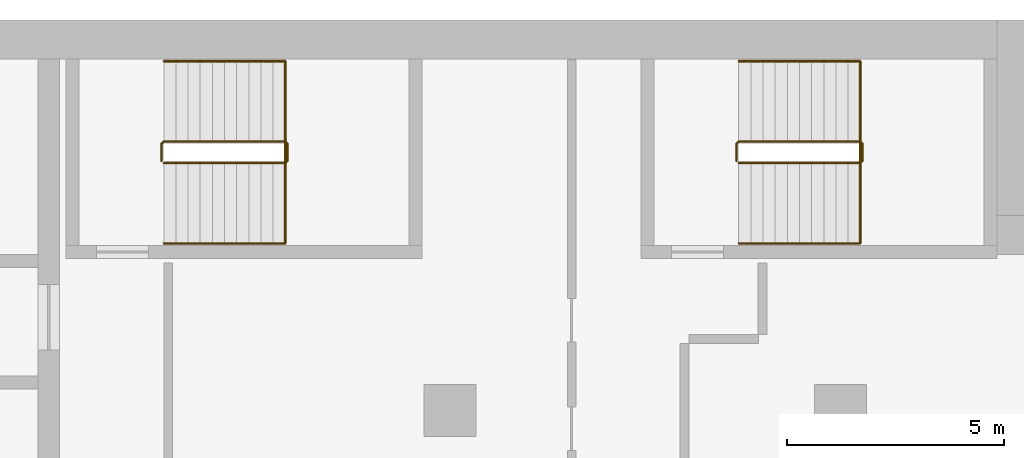
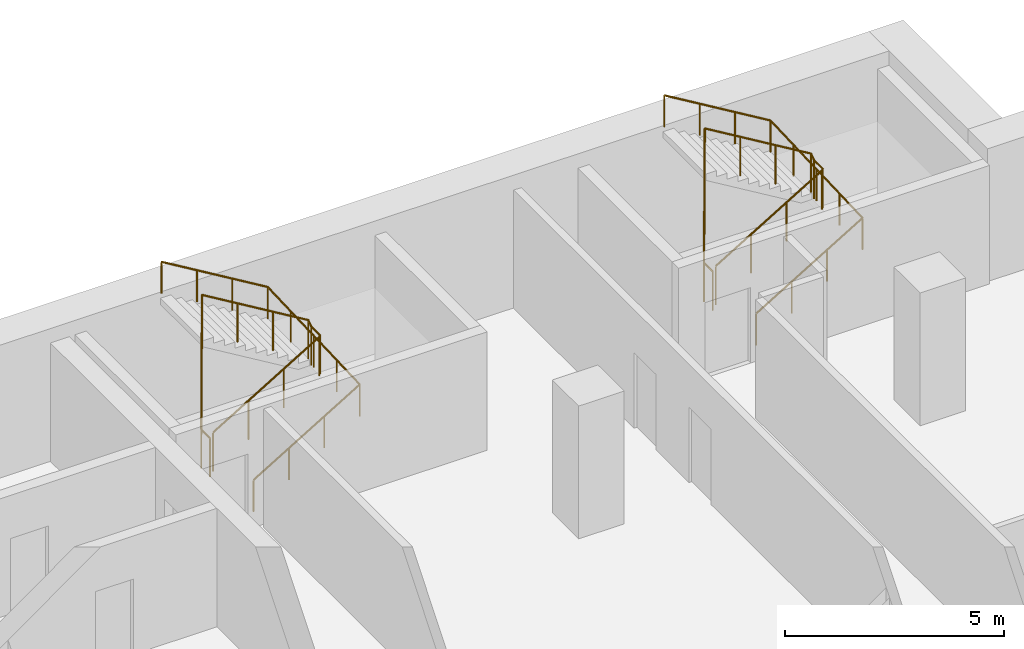
# One storey, part 23 of 23: 4 railings.
"""IFC4 building model written with IfcOpenShell, lengths in metres."""

from ifc_helpers import new_model, si_unit, direction, frame, origin, origin_2d, place, context, subcontext, project, spatial, circle, extrude, material, type_object, element, save


model = new_model("IFC4")

# Units and contexts
model_context = context("Model", 3, precision=1e-05, world=origin(), true_north=direction((0.0, 1.0)))
body_context = subcontext(model_context, "Body", "Model", "MODEL_VIEW")
ifc_project = project(units=[si_unit("LENGTHUNIT", "METRE"), si_unit("AREAUNIT", "SQUARE_METRE"), si_unit("VOLUMEUNIT", "CUBIC_METRE"), si_unit("PLANEANGLEUNIT", "RADIAN"), si_unit("MASSUNIT", "GRAM", prefix="KILO")], contexts=[model_context])

# Site, building, storey
site_placement = place(None, origin())
site = spatial("IfcSite", under=ifc_project, at=site_placement, CompositionType="ELEMENT")
building_placement = place(site_placement, origin())
building = spatial("IfcBuilding", under=site, at=building_placement, Name="Hunhe Ridgeline Campus", CompositionType="ELEMENT")
storey_placement = place(building_placement, frame((0.0, 0.0, 167.10009765625)))
storey = spatial("IfcBuildingStorey", under=building, at=storey_placement, Name="L42", CompositionType="ELEMENT", Elevation=167.10009765625)

# Railings
ifc_material_1 = material(Name="Stainless steel balustrade", Category="steel")
railing_type_1 = type_object("IfcRailingType", Name="Stair guard 1100 stainless", PredefinedType="GUARDRAIL", material=ifc_material_1)
railing_1_placement = place(storey_placement, frame((38.39990234375, 95.699951171875, 0.16796875)))
element("IfcRailing", 1, at=railing_1_placement, inside=storey, type_object=railing_type_1, Name="L42 stair E1 guard", PredefinedType="GUARDRAIL", context=body_context, shape_type="SweptSolid", body=[
    extrude(circle(Radius=0.02392578125, at=origin_2d()), frame((0.0, 0.0, 1.076171875), z_axis=(0.857242210791, 0.0, 0.514913383045), x_axis=(0.0, 1.0, 0.0)), (0.0, 0.0, 1.0), 3.266357421875),
    extrude(circle(Radius=0.02392578125, at=origin_2d()), frame((2.800048828125, 0.0, 2.7578125), z_axis=(0.707106781187, 0.707106781187, 0.0), x_axis=(-0.707106781187, 0.707106781187, 0.0)), (0.0, 0.0, 1.0), 0.07080078125),
    extrude(circle(Radius=0.02392578125, at=origin_2d()), frame((2.85009765625, 0.050048828125, 2.7578125), z_axis=(0.0, 1.0, 0.0), x_axis=(-1.0, 0.0, 0.0)), (0.0, 0.0, 1.0), 0.39990234375),
    extrude(circle(Radius=0.02392578125, at=origin_2d()), frame((2.85009765625, 0.449951171875, 2.7578125), z_axis=(-0.274243871929, 0.274243871929, 0.92172696468), x_axis=(-0.707106781187, -0.707106781187, 0.0)), (0.0, 0.0, 1.0), 0.1826171875),
    extrude(circle(Radius=0.02392578125, at=origin_2d()), frame((2.800048828125, 0.5, 2.92626953125), z_axis=(-0.857242210791, 0.0, 0.514913383045), x_axis=(0.0, -1.0, 0.0)), (0.0, 0.0, 1.0), 3.266357421875),
    extrude(circle(Radius=0.02392578125, at=origin_2d()), frame((0.0, 0.5, 4.60791015625), z_axis=(-0.013458453615, -0.013524426427, -0.999817963389), x_axis=(0.708833529934, -0.705375805398, 0.0)), (0.0, 0.0, 1.0), 3.70068359375),
    extrude(circle(Radius=0.02392578125, at=origin_2d()), frame((-0.0498046875, 0.449951171875, 0.908203125), z_axis=(0.0, -1.0, 0.0), x_axis=(1.0, 0.0, 0.0)), (0.0, 0.0, 1.0), 0.39990234375),
    extrude(circle(Radius=0.02099609375, at=origin_2d()), origin(), (0.0, 0.0, 1.0), 1.052001953125),
    extrude(circle(Radius=0.02099609375, at=origin_2d()), frame((0.933349609375, 0.0, 0.560546875)), (0.0, 0.0, 1.0), 1.052001953125),
    extrude(circle(Radius=0.02099609375, at=origin_2d()), frame((1.86669921875, 0.0, 1.121337890625)), (0.0, 0.0, 1.0), 1.052001953125),
    extrude(circle(Radius=0.02099609375, at=origin_2d()), frame((2.800048828125, 0.0, 1.681884765625)), (0.0, 0.0, 1.0), 1.052001953125),
    extrude(circle(Radius=0.02099609375, at=origin_2d()), frame((2.85009765625, 0.050048828125, 1.681884765625)), (0.0, 0.0, 1.0), 1.052001953125),
    extrude(circle(Radius=0.02099609375, at=origin_2d()), frame((2.85009765625, 0.449951171875, 1.681884765625)), (0.0, 0.0, 1.0), 1.052001953125),
    extrude(circle(Radius=0.02099609375, at=origin_2d()), frame((2.800048828125, 0.5, 1.85009765625)), (0.0, 0.0, 1.0), 1.052001953125),
    extrude(circle(Radius=0.02099609375, at=origin_2d()), frame((1.86669921875, 0.5, 2.41064453125)), (0.0, 0.0, 1.0), 1.052001953125),
    extrude(circle(Radius=0.02099609375, at=origin_2d()), frame((0.933349609375, 0.5, 2.971435546875)), (0.0, 0.0, 1.0), 1.052001953125),
    extrude(circle(Radius=0.02099609375, at=origin_2d()), frame((0.0, 0.5, 3.531982421875)), (0.0, 0.0, 1.0), 1.052001953125),
    extrude(circle(Radius=0.02099609375, at=origin_2d()), frame((-0.012451171875, 0.487548828125, 2.60693359375)), (0.0, 0.0, 1.0), 1.052001953125),
    extrude(circle(Radius=0.02099609375, at=origin_2d()), frame((-0.02490234375, 0.47509765625, 1.68212890625)), (0.0, 0.0, 1.0), 1.052001953125),
    extrude(circle(Radius=0.02099609375, at=origin_2d()), frame((-0.037353515625, 0.46240234375, 0.757080078125)), (0.0, 0.0, 1.0), 1.052001953125),
    extrude(circle(Radius=0.02099609375, at=origin_2d()), frame((-0.0498046875, 0.449951171875, -0.16796875)), (0.0, 0.0, 1.0), 1.052001953125),
    extrude(circle(Radius=0.02099609375, at=origin_2d()), frame((-0.0498046875, 0.050048828125, -0.16796875)), (0.0, 0.0, 1.0), 1.052001953125),
])
railing_2_placement = place(storey_placement, frame((51.64990234375, 95.699951171875, 0.16796875)))
element("IfcRailing", 2, at=railing_2_placement, inside=storey, type_object=railing_type_1, Name="L42 stair E2 guard", PredefinedType="GUARDRAIL", context=body_context, shape_type="SweptSolid", body=[
    extrude(circle(Radius=0.02392578125, at=origin_2d()), frame((0.0, 0.0, 1.076171875), z_axis=(0.857242210791, 0.0, 0.514913383045), x_axis=(0.0, 1.0, 0.0)), (0.0, 0.0, 1.0), 3.266357421875),
    extrude(circle(Radius=0.02392578125, at=origin_2d()), frame((2.800048828125, 0.0, 2.7578125), z_axis=(0.707106781187, 0.707106781187, 0.0), x_axis=(-0.707106781187, 0.707106781187, 0.0)), (0.0, 0.0, 1.0), 0.07080078125),
    extrude(circle(Radius=0.02392578125, at=origin_2d()), frame((2.85009765625, 0.050048828125, 2.7578125), z_axis=(0.0, 1.0, 0.0), x_axis=(-1.0, 0.0, 0.0)), (0.0, 0.0, 1.0), 0.39990234375),
    extrude(circle(Radius=0.02392578125, at=origin_2d()), frame((2.85009765625, 0.449951171875, 2.7578125), z_axis=(-0.274243871929, 0.274243871929, 0.92172696468), x_axis=(-0.707106781187, -0.707106781187, 0.0)), (0.0, 0.0, 1.0), 0.1826171875),
    extrude(circle(Radius=0.02392578125, at=origin_2d()), frame((2.800048828125, 0.5, 2.92626953125), z_axis=(-0.857242210791, 0.0, 0.514913383045), x_axis=(0.0, -1.0, 0.0)), (0.0, 0.0, 1.0), 3.266357421875),
    extrude(circle(Radius=0.02392578125, at=origin_2d()), frame((0.0, 0.5, 4.60791015625), z_axis=(-0.013458453615, -0.013524426427, -0.999817963389), x_axis=(0.708833529934, -0.705375805398, 0.0)), (0.0, 0.0, 1.0), 3.70068359375),
    extrude(circle(Radius=0.02392578125, at=origin_2d()), frame((-0.0498046875, 0.449951171875, 0.908203125), z_axis=(0.0, -1.0, 0.0), x_axis=(1.0, 0.0, 0.0)), (0.0, 0.0, 1.0), 0.39990234375),
    extrude(circle(Radius=0.02099609375, at=origin_2d()), origin(), (0.0, 0.0, 1.0), 1.052001953125),
    extrude(circle(Radius=0.02099609375, at=origin_2d()), frame((0.933349609375, 0.0, 0.560546875)), (0.0, 0.0, 1.0), 1.052001953125),
    extrude(circle(Radius=0.02099609375, at=origin_2d()), frame((1.86669921875, 0.0, 1.121337890625)), (0.0, 0.0, 1.0), 1.052001953125),
    extrude(circle(Radius=0.02099609375, at=origin_2d()), frame((2.800048828125, 0.0, 1.681884765625)), (0.0, 0.0, 1.0), 1.052001953125),
    extrude(circle(Radius=0.02099609375, at=origin_2d()), frame((2.85009765625, 0.050048828125, 1.681884765625)), (0.0, 0.0, 1.0), 1.052001953125),
    extrude(circle(Radius=0.02099609375, at=origin_2d()), frame((2.85009765625, 0.449951171875, 1.681884765625)), (0.0, 0.0, 1.0), 1.052001953125),
    extrude(circle(Radius=0.02099609375, at=origin_2d()), frame((2.800048828125, 0.5, 1.85009765625)), (0.0, 0.0, 1.0), 1.052001953125),
    extrude(circle(Radius=0.02099609375, at=origin_2d()), frame((1.86669921875, 0.5, 2.41064453125)), (0.0, 0.0, 1.0), 1.052001953125),
    extrude(circle(Radius=0.02099609375, at=origin_2d()), frame((0.933349609375, 0.5, 2.971435546875)), (0.0, 0.0, 1.0), 1.052001953125),
    extrude(circle(Radius=0.02099609375, at=origin_2d()), frame((0.0, 0.5, 3.531982421875)), (0.0, 0.0, 1.0), 1.052001953125),
    extrude(circle(Radius=0.02099609375, at=origin_2d()), frame((-0.012451171875, 0.487548828125, 2.60693359375)), (0.0, 0.0, 1.0), 1.052001953125),
    extrude(circle(Radius=0.02099609375, at=origin_2d()), frame((-0.02490234375, 0.47509765625, 1.68212890625)), (0.0, 0.0, 1.0), 1.052001953125),
    extrude(circle(Radius=0.02099609375, at=origin_2d()), frame((-0.037353515625, 0.46240234375, 0.757080078125)), (0.0, 0.0, 1.0), 1.052001953125),
    extrude(circle(Radius=0.02099609375, at=origin_2d()), frame((-0.0498046875, 0.449951171875, -0.16796875)), (0.0, 0.0, 1.0), 1.052001953125),
    extrude(circle(Radius=0.02099609375, at=origin_2d()), frame((-0.0498046875, 0.050048828125, -0.16796875)), (0.0, 0.0, 1.0), 1.052001953125),
])
ifc_material_2 = material(Name="Stainless steel handrail", Category="steel")
railing_type_2 = type_object("IfcRailingType", Name="Stair handrail 900 stainless", PredefinedType="HANDRAIL", material=ifc_material_2)
railing_3_placement = place(storey_placement, frame((38.39990234375, 93.85009765625, 0.16796875)))
element("IfcRailing", 3, at=railing_3_placement, inside=storey, type_object=railing_type_2, Name="L42 stair E1 handrail", PredefinedType="HANDRAIL", context=body_context, shape_type="SweptSolid", body=[
    extrude(circle(Radius=0.02392578125, at=origin_2d()), frame((0.0, 0.0, 0.8759765625), z_axis=(0.857242210791, 0.0, 0.514913383045), x_axis=(0.0, 1.0, 0.0)), (0.0, 0.0, 1.0), 3.266357421875),
    extrude(circle(Radius=0.02392578125, at=origin_2d()), frame((2.800048828125, 0.0, 2.5576171875), z_axis=(0.0, 0.999198916169, 0.040019069537), x_axis=(-1.0, 0.0, 0.0)), (0.0, 0.0, 1.0), 4.203369140625),
    extrude(circle(Radius=0.02392578125, at=origin_2d()), frame((2.800048828125, 4.199951171875, 2.72607421875), z_axis=(-0.857242210791, 0.0, 0.514913383045), x_axis=(0.0, -1.0, 0.0)), (0.0, 0.0, 1.0), 3.266357421875),
    extrude(circle(Radius=0.02099609375, at=origin_2d()), origin(), (0.0, 0.0, 1.0), 0.851806640625),
    extrude(circle(Radius=0.02099609375, at=origin_2d()), frame((0.933349609375, 0.0, 0.560546875)), (0.0, 0.0, 1.0), 0.851806640625),
    extrude(circle(Radius=0.02099609375, at=origin_2d()), frame((1.86669921875, 0.0, 1.121337890625)), (0.0, 0.0, 1.0), 0.851806640625),
    extrude(circle(Radius=0.02099609375, at=origin_2d()), frame((2.800048828125, 0.0, 1.681884765625)), (0.0, 0.0, 1.0), 0.851806640625),
    extrude(circle(Radius=0.02099609375, at=origin_2d()), frame((2.800048828125, 1.050048828125, 1.723876953125)), (0.0, 0.0, 1.0), 0.851806640625),
    extrude(circle(Radius=0.02099609375, at=origin_2d()), frame((2.800048828125, 2.10009765625, 1.76611328125)), (0.0, 0.0, 1.0), 0.851806640625),
    extrude(circle(Radius=0.02099609375, at=origin_2d()), frame((2.800048828125, 3.14990234375, 1.80810546875)), (0.0, 0.0, 1.0), 0.851806640625),
    extrude(circle(Radius=0.02099609375, at=origin_2d()), frame((2.800048828125, 4.199951171875, 1.85009765625)), (0.0, 0.0, 1.0), 0.851806640625),
    extrude(circle(Radius=0.02099609375, at=origin_2d()), frame((1.86669921875, 4.199951171875, 2.41064453125)), (0.0, 0.0, 1.0), 0.851806640625),
    extrude(circle(Radius=0.02099609375, at=origin_2d()), frame((0.933349609375, 4.199951171875, 2.971435546875)), (0.0, 0.0, 1.0), 0.851806640625),
    extrude(circle(Radius=0.02099609375, at=origin_2d()), frame((0.0, 4.199951171875, 3.531982421875)), (0.0, 0.0, 1.0), 0.851806640625),
])
railing_4_placement = place(storey_placement, frame((51.64990234375, 93.85009765625, 0.16796875)))
element("IfcRailing", 4, at=railing_4_placement, inside=storey, type_object=railing_type_2, Name="L42 stair E2 handrail", PredefinedType="HANDRAIL", context=body_context, shape_type="SweptSolid", body=[
    extrude(circle(Radius=0.02392578125, at=origin_2d()), frame((0.0, 0.0, 0.8759765625), z_axis=(0.857242210791, 0.0, 0.514913383045), x_axis=(0.0, 1.0, 0.0)), (0.0, 0.0, 1.0), 3.266357421875),
    extrude(circle(Radius=0.02392578125, at=origin_2d()), frame((2.800048828125, 0.0, 2.5576171875), z_axis=(0.0, 0.999198916169, 0.040019069537), x_axis=(-1.0, 0.0, 0.0)), (0.0, 0.0, 1.0), 4.203369140625),
    extrude(circle(Radius=0.02392578125, at=origin_2d()), frame((2.800048828125, 4.199951171875, 2.72607421875), z_axis=(-0.857242210791, 0.0, 0.514913383045), x_axis=(0.0, -1.0, 0.0)), (0.0, 0.0, 1.0), 3.266357421875),
    extrude(circle(Radius=0.02099609375, at=origin_2d()), origin(), (0.0, 0.0, 1.0), 0.851806640625),
    extrude(circle(Radius=0.02099609375, at=origin_2d()), frame((0.933349609375, 0.0, 0.560546875)), (0.0, 0.0, 1.0), 0.851806640625),
    extrude(circle(Radius=0.02099609375, at=origin_2d()), frame((1.86669921875, 0.0, 1.121337890625)), (0.0, 0.0, 1.0), 0.851806640625),
    extrude(circle(Radius=0.02099609375, at=origin_2d()), frame((2.800048828125, 0.0, 1.681884765625)), (0.0, 0.0, 1.0), 0.851806640625),
    extrude(circle(Radius=0.02099609375, at=origin_2d()), frame((2.800048828125, 1.050048828125, 1.723876953125)), (0.0, 0.0, 1.0), 0.851806640625),
    extrude(circle(Radius=0.02099609375, at=origin_2d()), frame((2.800048828125, 2.10009765625, 1.76611328125)), (0.0, 0.0, 1.0), 0.851806640625),
    extrude(circle(Radius=0.02099609375, at=origin_2d()), frame((2.800048828125, 3.14990234375, 1.80810546875)), (0.0, 0.0, 1.0), 0.851806640625),
    extrude(circle(Radius=0.02099609375, at=origin_2d()), frame((2.800048828125, 4.199951171875, 1.85009765625)), (0.0, 0.0, 1.0), 0.851806640625),
    extrude(circle(Radius=0.02099609375, at=origin_2d()), frame((1.86669921875, 4.199951171875, 2.41064453125)), (0.0, 0.0, 1.0), 0.851806640625),
    extrude(circle(Radius=0.02099609375, at=origin_2d()), frame((0.933349609375, 4.199951171875, 2.971435546875)), (0.0, 0.0, 1.0), 0.851806640625),
    extrude(circle(Radius=0.02099609375, at=origin_2d()), frame((0.0, 4.199951171875, 3.531982421875)), (0.0, 0.0, 1.0), 0.851806640625),
])

save(model, "model.ifc")
